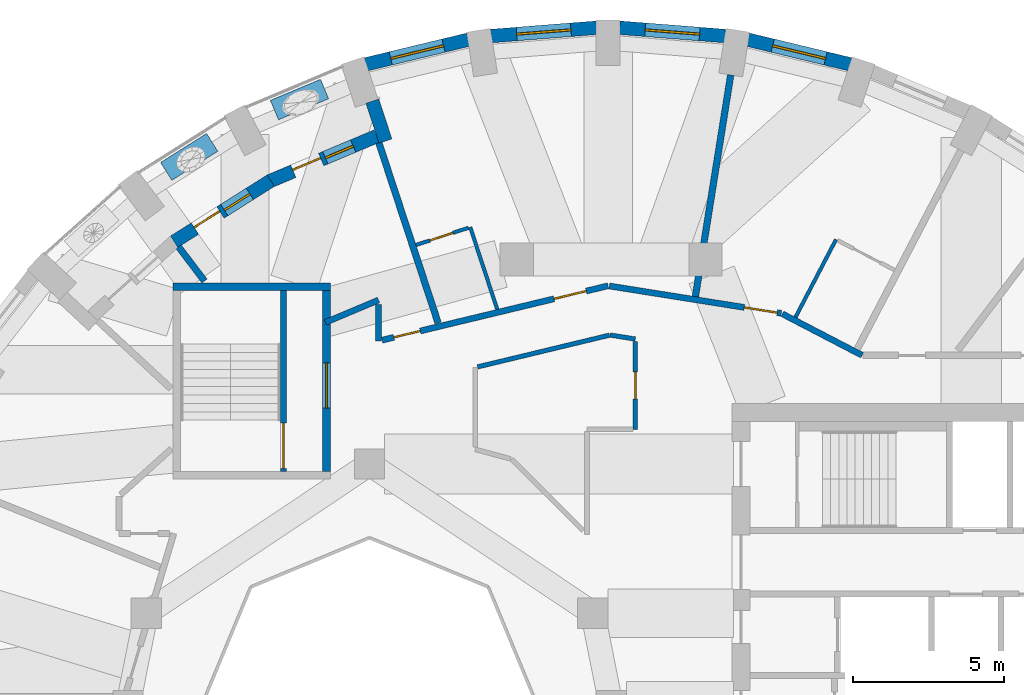
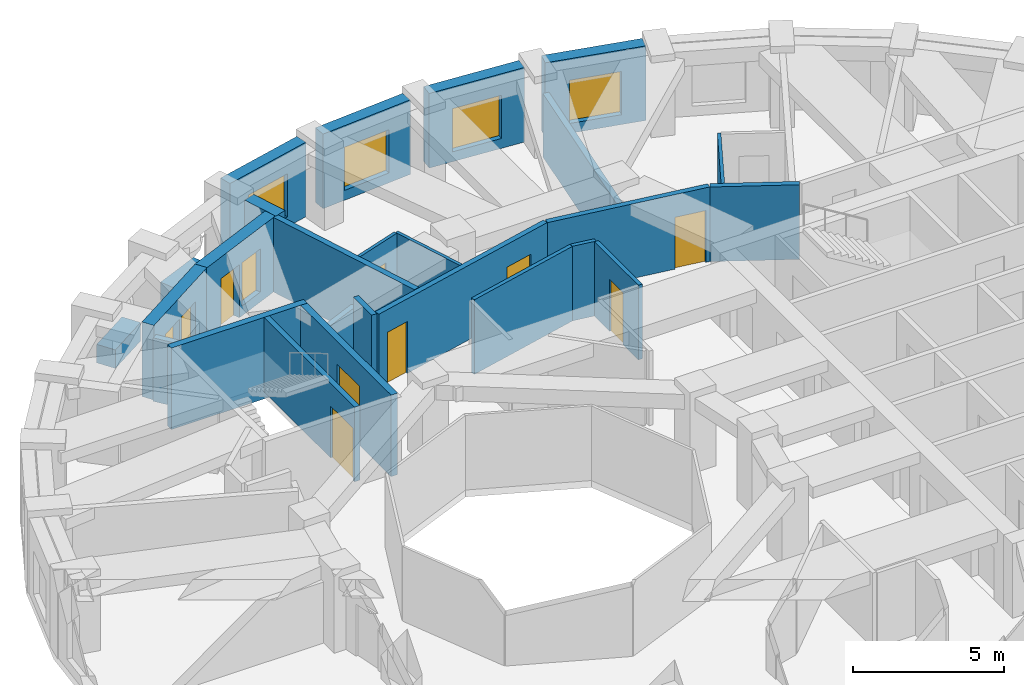
# One storey, part 7 of 12: 26 walls, 9 doors, 6 windows, 15 openings.
"""IFC4 building model written with IfcOpenShell, lengths in metres."""

import ifcopenshell
import ifcopenshell.guid

model = None  # the IFC model being written
_history = None  # IfcOwnerHistory: only IFC2X3 demands one
_inside = {}  # id of a spatial element -> (the spatial element, [elements in it])
_under = {}  # id of a project, library or spatial element -> (it, [spatial elements below it])
_declared = {}  # id of a project -> (the project, [libraries it declares])
_typed = {}  # id of a type object -> (the type object, [elements of that type])
_made_of = {}  # id of a material, layer set ... -> (it, [elements and type objects made of it])


def new_model(schema):
    """Start an empty IFC model of exactly this schema.

    Asked for "IFC4X3", IfcOpenShell would pick the latest addendum, in which some entities
    have other attributes; the version numbers below select the first issue.
    IFC2X3 requires an IfcOwnerHistory on every rooted entity: one is made here for all.
    """
    global model, _history
    if schema == "IFC4X3":
        model = ifcopenshell.file(schema_version=(4, 3, 0, 0))
    else:
        model = ifcopenshell.file(schema=schema)
    _inside.clear()
    _under.clear()
    _declared.clear()
    _typed.clear()
    _made_of.clear()
    _history = None
    if model.schema == "IFC2X3":
        org = make("IfcOrganization", Name="unknown")
        user = make(
            "IfcPersonAndOrganization",
            ThePerson=make("IfcPerson", FamilyName="unknown"),
            TheOrganization=org,
        )
        app = make(
            "IfcApplication",
            ApplicationDeveloper=org,
            Version="unknown",
            ApplicationFullName="unknown",
            ApplicationIdentifier="unknown",
        )
        _history = make(
            "IfcOwnerHistory",
            OwningUser=user,
            OwningApplication=app,
            ChangeAction="ADDED",
            CreationDate=0,
        )
    return model


def make(cls, **values):
    """One entity of the class cls with the attributes given. An attribute that is None is left unset."""
    return model.create_entity(
        cls, **{name: value for name, value in values.items() if value is not None}
    )


def rooted(cls, **values):
    """An entity with a GlobalId (a new one), such as an element, a storey or a relation."""
    return make(cls, GlobalId=ifcopenshell.guid.new(), OwnerHistory=_history, **values)


def si_unit(unit_type, name, prefix=None):
    """IfcSIUnit, for example si_unit("LENGTHUNIT", "METRE", prefix="MILLI")."""
    return make("IfcSIUnit", UnitType=unit_type, Prefix=prefix, Name=name)


def assignment(units):
    """IfcUnitAssignment: the units of a project."""
    return None if units is None else make("IfcUnitAssignment", Units=units)


def point(xyz):
    """IfcCartesianPoint."""
    return None if xyz is None else make("IfcCartesianPoint", Coordinates=xyz)


def direction(xyz):
    """IfcDirection."""
    return None if xyz is None else make("IfcDirection", DirectionRatios=xyz)


def frame(location, z_axis=None, x_axis=None):
    """IfcAxis2Placement3D, a coordinate frame: its origin and axes. An axis left out is left unset."""
    return make(
        "IfcAxis2Placement3D",
        Location=point(location),
        Axis=direction(z_axis),
        RefDirection=direction(x_axis),
    )


def frame_2d(location, x_axis=None):
    """IfcAxis2Placement2D, a coordinate frame in the plane: its origin and x axis."""
    return make(
        "IfcAxis2Placement2D", Location=point(location), RefDirection=direction(x_axis)
    )


def origin():
    """The frame at (0, 0, 0) with its axes left unset."""
    return frame((0.0, 0.0, 0.0))


def place(relative_to, where):
    """IfcLocalPlacement: puts the frame where relative to a parent placement (None: the world)."""
    return make(
        "IfcLocalPlacement", PlacementRelTo=relative_to, RelativePlacement=where
    )


def context(
    kind, dimensions, precision=None, world=None, true_north=None, identifier=None
):
    """IfcGeometricRepresentationContext, for example the 3D "Model" context."""
    return make(
        "IfcGeometricRepresentationContext",
        ContextIdentifier=identifier,
        ContextType=kind,
        CoordinateSpaceDimension=dimensions,
        Precision=precision,
        WorldCoordinateSystem=world,
        TrueNorth=true_north,
    )


def subcontext(parent, identifier, kind, view, scale=None):
    """IfcGeometricRepresentationSubContext, for example "Body" below "Model"."""
    return make(
        "IfcGeometricRepresentationSubContext",
        ContextIdentifier=identifier,
        ContextType=kind,
        ParentContext=parent,
        TargetScale=scale,
        TargetView=view,
    )


def project(units=None, contexts=None):
    """IfcProject with its units and contexts."""
    return rooted(
        "IfcProject",
        Name="project",
        RepresentationContexts=contexts,
        UnitsInContext=assignment(units),
    )


def spatial(cls, under=None, at=None, **own):
    """A site, building, storey or space (cls), placed at a placement, below another one or the project."""
    s = rooted(cls, ObjectPlacement=at, **own)
    if under is not None:
        _under.setdefault(under.id(), (under, []))[1].append(s)
    return s


def profile(cls, at=None, kind="AREA", **sizes):
    """A parametric profile (cls). Its sizes go by their IFC names, for example OverallWidth=200.0."""
    return make(cls, ProfileType=kind, Position=at, **sizes)


def rectangle(**sizes):
    """IfcRectangleProfileDef."""
    return profile("IfcRectangleProfileDef", **sizes)


def extrude(swept, where, along, depth):
    """IfcExtrudedAreaSolid: the profile swept, set in the frame where, extruded along a direction by depth."""
    return make(
        "IfcExtrudedAreaSolid",
        SweptArea=swept,
        Position=where,
        ExtrudedDirection=direction(along),
        Depth=depth,
    )


def shape(context_of_items, identifier, shape_type, items):
    """IfcShapeRepresentation: the items that make up one representation, for example the "Body"."""
    return make(
        "IfcShapeRepresentation",
        ContextOfItems=context_of_items,
        RepresentationIdentifier=identifier,
        RepresentationType=shape_type,
        Items=items,
    )


def material(Name=None, Category=None):
    """IfcMaterial."""
    return make("IfcMaterial", Name=Name, Category=Category)


def layer(
    of_material, thickness, ventilated=None, Name=None, Category=None, Priority=None
):
    """IfcMaterialLayer: one layer of a wall or slab, of a material (None: an air gap)."""
    return make(
        "IfcMaterialLayer",
        Material=of_material,
        LayerThickness=thickness,
        IsVentilated=ventilated,
        Name=Name,
        Category=Category,
        Priority=Priority,
    )


def layer_set(layers, Name=None):
    """IfcMaterialLayerSet."""
    return make("IfcMaterialLayerSet", MaterialLayers=layers, LayerSetName=Name)


def constituent(of_material, Name=None, Category=None, fraction=None):
    """IfcMaterialConstituent: one of the materials an element consists of."""
    return make(
        "IfcMaterialConstituent",
        Name=Name,
        Material=of_material,
        Fraction=fraction,
        Category=Category,
    )


def constituent_set(constituents=None, Name=None):
    """IfcMaterialConstituentSet."""
    return make(
        "IfcMaterialConstituentSet", Name=Name, MaterialConstituents=constituents
    )


def made_of(thing, what):
    """Note that an element or type object is made of a material, layer set ...; save() writes the relation."""
    if what is not None:
        _made_of.setdefault(what.id(), (what, []))[1].append(thing)
    return thing


def type_object(cls, material=None, **own):
    """A type object (cls), such as IfcWallType, which elements share."""
    return made_of(rooted(cls, **own), material)


def element(
    cls,
    number,
    at=None,
    inside=None,
    cuts=None,
    type_object=None,
    material=None,
    context=None,
    identifier="Body",
    shape_type=None,
    held_by="IfcProductDefinitionShape",
    body=None,
    shapes=None,
    **own,
):
    """One element of the class cls, such as IfcWall. Its Tag is "e" and its number.

    at: its placement. inside: the storey or other place that contains it. cuts: it is an
    opening in that element (IfcRelVoidsElement). A single representation is given by context,
    identifier, shape_type and body (its items); several are given by shapes. held_by: the class
    of the entity that holds the representations. save() writes the other relations.
    """
    e = rooted(cls, Tag="e%d" % number, ObjectPlacement=at, **own)
    if body is not None:
        shapes = [shape(context, identifier, shape_type, body)]
    if shapes is not None:
        e.Representation = make(held_by, Representations=shapes)
    if inside is not None:
        _inside.setdefault(inside.id(), (inside, []))[1].append(e)
    if cuts is not None:
        rooted(
            "IfcRelVoidsElement", RelatingBuildingElement=cuts, RelatedOpeningElement=e
        )
    if type_object is not None:
        _typed.setdefault(type_object.id(), (type_object, []))[1].append(e)
    return made_of(e, material)


def fill(opening, filler):
    """IfcRelFillsElement: the door or window that sits in an opening."""
    return rooted(
        "IfcRelFillsElement",
        RelatingOpeningElement=opening,
        RelatedBuildingElement=filler,
    )


def aggregate(whole, parts):
    """IfcRelAggregates: a whole, such as a stair, and the parts it consists of."""
    return rooted("IfcRelAggregates", RelatingObject=whole, RelatedObjects=parts)


def save(model, path):
    """Write the relations noted so far, then the file.

    IfcRelAggregates (storeys below a building ...), IfcRelContainedInSpatialStructure (elements
    in a storey), IfcRelDefinesByType, IfcRelAssociatesMaterial and IfcRelDeclares: one each for
    every whole, place, type object, material and project.
    """
    for whole, parts in _under.values():
        aggregate(whole, parts)
    for where, things in _inside.values():
        rooted(
            "IfcRelContainedInSpatialStructure",
            RelatedElements=things,
            RelatingStructure=where,
        )
    for kind, things in _typed.values():
        rooted("IfcRelDefinesByType", RelatedObjects=things, RelatingType=kind)
    for what, things in _made_of.values():
        rooted("IfcRelAssociatesMaterial", RelatedObjects=things, RelatingMaterial=what)
    for by, libraries in _declared.values():
        rooted("IfcRelDeclares", RelatingContext=by, RelatedDefinitions=libraries)
    model.write(path)


model = new_model("IFC4")

# Units and contexts
model_context = context("Model", 3, precision=1e-05, world=origin(), true_north=direction((0.0, 1.0)))
body_context = subcontext(model_context, "Body", "Model", "MODEL_VIEW")
ifc_project = project(units=[si_unit("LENGTHUNIT", "METRE"), si_unit("AREAUNIT", "SQUARE_METRE"), si_unit("VOLUMEUNIT", "CUBIC_METRE"), si_unit("PLANEANGLEUNIT", "RADIAN"), si_unit("MASSUNIT", "GRAM", prefix="KILO")], contexts=[model_context])

# Site, building, storey
site_placement = place(None, origin())
site = spatial("IfcSite", under=ifc_project, at=site_placement, CompositionType="ELEMENT")
building_placement = place(site_placement, origin())
building = spatial("IfcBuilding", under=site, at=building_placement, Name="Taillehof Tower", CompositionType="ELEMENT")
storey_placement = place(building_placement, frame((0.0, 0.0, 253.10009765625)))
storey = spatial("IfcBuildingStorey", under=building, at=storey_placement, Name="L72", CompositionType="ELEMENT", Elevation=253.10009765625)

# Wall, opening, window
ifc_material_1 = material(Name="Brick masonry", Category="masonry")
ifc_layer_1 = layer(ifc_material_1, 0.449951171875)
ifc_layer_set_1 = layer_set([ifc_layer_1], Name="Brick infill wall 450")
wall_type_1 = type_object("IfcWallType", Name="Brick infill wall 450", PredefinedType="SOLIDWALL", material=ifc_layer_set_1)
wall_1_placement = place(storey_placement, frame((7.918701171875, 21.231689453125, 0.0), z_axis=(0.0, 0.0, 1.0), x_axis=(-0.972099278496, 0.23456980357, 0.0)))
wall_1 = element("IfcWall", 1, at=wall_1_placement, inside=storey, type_object=wall_type_1, Name="Brick wall L72 bay 8", PredefinedType="SOLIDWALL", context=body_context, shape_type="SweptSolid", body=[
    extrude(rectangle(XDim=3.486572265625, YDim=0.449951171875, at=frame_2d((1.7431640625, 0.0))), origin(), (0.0, 0.0, 1.0), 3.02001953125),
])
opening_1_placement = place(wall_1_placement, frame((0.84326171875, 0.0, 0.39990234375)))
opening_1 = element("IfcOpeningElement", 2, at=opening_1_placement, cuts=wall_1, Name="Opening W4", PredefinedType="OPENING", context=body_context, shape_type="SweptSolid", body=[
    extrude(rectangle(XDim=1.800048828125, YDim=1.75, at=frame_2d((0.89990234375, 0.875))), frame((0.0, 0.23486328125, 0.0), z_axis=(0.0, -1.0, 0.0), x_axis=(1.0, 0.0, 0.0)), (0.0, 0.0, 1.0), 0.469970703125),
])
ifc_material_2 = material(Name="Aluminium window frame with clear double glazing", Category="aluminium")
window_type_1 = type_object("IfcWindowType", Name="Deep-set window 1800x1750", PartitioningType="SINGLE_PANEL", PredefinedType="WINDOW", material=ifc_material_2)
window_1_placement = place(opening_1_placement, origin())
window_1 = element("IfcWindow", 3, at=window_1_placement, inside=storey, type_object=window_type_1, Name="W4", OverallHeight=1.75, OverallWidth=1.800048828125, PartitioningType="SINGLE_PANEL", PredefinedType="WINDOW", context=body_context, shape_type="SweptSolid", body=[
    extrude(rectangle(XDim=1.800048828125, YDim=1.75, at=frame_2d((0.89990234375, 0.875))), frame((0.0, 0.034912109375, 0.0), z_axis=(0.0, -1.0, 0.0), x_axis=(1.0, 0.0, 0.0)), (0.0, 0.0, 1.0), 0.06005859375),
])
fill(opening_1, window_1)

wall_2_placement = place(storey_placement, frame((3.778564453125, 22.168701171875, 0.0), z_axis=(0.0, 0.0, 1.0), x_axis=(-0.996910775835, 0.078542377245, 0.0)))
wall_2 = element("IfcWall", 4, at=wall_2_placement, inside=storey, type_object=wall_type_1, Name="Brick wall L72 bay 9", PredefinedType="SOLIDWALL", context=body_context, shape_type="SweptSolid", body=[
    extrude(rectangle(XDim=3.50927734375, YDim=0.449951171875, at=frame_2d((1.754638671875, 0.0))), origin(), (0.0, 0.0, 1.0), 3.02001953125),
])
opening_2_placement = place(wall_2_placement, frame((0.854736328125, 0.0, 0.39990234375)))
opening_2 = element("IfcOpeningElement", 5, at=opening_2_placement, cuts=wall_2, Name="Opening W4", PredefinedType="OPENING", context=body_context, shape_type="SweptSolid", body=[
    extrude(rectangle(XDim=1.800048828125, YDim=1.75, at=frame_2d((0.89990234375, 0.875))), frame((0.0, 0.23486328125, 0.0), z_axis=(0.0, -1.0, 0.0), x_axis=(1.0, 0.0, 0.0)), (0.0, 0.0, 1.0), 0.469970703125),
])
window_2_placement = place(opening_2_placement, origin())
window_2 = element("IfcWindow", 6, at=window_2_placement, inside=storey, type_object=window_type_1, Name="W4", OverallHeight=1.75, OverallWidth=1.800048828125, PartitioningType="SINGLE_PANEL", PredefinedType="WINDOW", context=body_context, shape_type="SweptSolid", body=[
    extrude(rectangle(XDim=1.800048828125, YDim=1.75, at=frame_2d((0.89990234375, 0.875))), frame((0.0, 0.034912109375, 0.0), z_axis=(0.0, -1.0, 0.0), x_axis=(1.0, 0.0, 0.0)), (0.0, 0.0, 1.0), 0.06005859375),
])
fill(opening_2, window_2)

wall_3_placement = place(storey_placement, frame((-0.47998046875, 22.4443359375, 0.0), z_axis=(0.0, 0.0, 1.0), x_axis=(-0.996910775835, -0.078542377245, 0.0)))
wall_3 = element("IfcWall", 7, at=wall_3_placement, inside=storey, type_object=wall_type_1, Name="Brick wall L72 bay 10", PredefinedType="SOLIDWALL", context=body_context, shape_type="SweptSolid", body=[
    extrude(rectangle(XDim=3.50927734375, YDim=0.449951171875, at=frame_2d((1.754638671875, 0.0))), origin(), (0.0, 0.0, 1.0), 3.02001953125),
])
opening_3_placement = place(wall_3_placement, frame((0.854736328125, 0.0, 0.39990234375)))
opening_3 = element("IfcOpeningElement", 8, at=opening_3_placement, cuts=wall_3, Name="Opening W4", PredefinedType="OPENING", context=body_context, shape_type="SweptSolid", body=[
    extrude(rectangle(XDim=1.800048828125, YDim=1.75, at=frame_2d((0.89990234375, 0.875))), frame((0.0, 0.23486328125, 0.0), z_axis=(0.0, -1.0, 0.0), x_axis=(1.0, 0.0, 0.0)), (0.0, 0.0, 1.0), 0.469970703125),
])
window_3_placement = place(opening_3_placement, origin())
window_3 = element("IfcWindow", 9, at=window_3_placement, inside=storey, type_object=window_type_1, Name="W4", OverallHeight=1.75, OverallWidth=1.800048828125, PartitioningType="SINGLE_PANEL", PredefinedType="WINDOW", context=body_context, shape_type="SweptSolid", body=[
    extrude(rectangle(XDim=1.800048828125, YDim=1.75, at=frame_2d((0.89990234375, 0.875))), frame((0.0, 0.034912109375, 0.0), z_axis=(0.0, -1.0, 0.0), x_axis=(1.0, 0.0, 0.0)), (0.0, 0.0, 1.0), 0.06005859375),
])
fill(opening_3, window_3)

wall_4_placement = place(storey_placement, frame((-4.729248046875, 22.049560546875, 0.0), z_axis=(0.0, 0.0, 1.0), x_axis=(-0.972099278496, -0.23456980357, 0.0)))
wall_4 = element("IfcWall", 10, at=wall_4_placement, inside=storey, type_object=wall_type_1, Name="Brick wall L72 bay 11", PredefinedType="SOLIDWALL", context=body_context, shape_type="SweptSolid", body=[
    extrude(rectangle(XDim=3.486572265625, YDim=0.449951171875, at=frame_2d((1.7431640625, 0.0))), origin(), (0.0, 0.0, 1.0), 3.02001953125),
])
opening_4_placement = place(wall_4_placement, frame((0.84326171875, 0.0, 0.39990234375)))
opening_4 = element("IfcOpeningElement", 11, at=opening_4_placement, cuts=wall_4, Name="Opening W4", PredefinedType="OPENING", context=body_context, shape_type="SweptSolid", body=[
    extrude(rectangle(XDim=1.800048828125, YDim=1.75, at=frame_2d((0.89990234375, 0.875))), frame((0.0, 0.23486328125, 0.0), z_axis=(0.0, -1.0, 0.0), x_axis=(1.0, 0.0, 0.0)), (0.0, 0.0, 1.0), 0.469970703125),
])
window_4_placement = place(opening_4_placement, origin())
window_4 = element("IfcWindow", 12, at=window_4_placement, inside=storey, type_object=window_type_1, Name="W4", OverallHeight=1.75, OverallWidth=1.800048828125, PartitioningType="SINGLE_PANEL", PredefinedType="WINDOW", context=body_context, shape_type="SweptSolid", body=[
    extrude(rectangle(XDim=1.800048828125, YDim=1.75, at=frame_2d((0.89990234375, 0.875))), frame((0.0, 0.034912109375, 0.0), z_axis=(0.0, -1.0, 0.0), x_axis=(1.0, 0.0, 0.0)), (0.0, 0.0, 1.0), 0.06005859375),
])
fill(opening_4, window_4)

# Wall
wall_5_placement = place(storey_placement, frame((-7.90625, 20.013671875, 0.0), z_axis=(0.0, 0.0, 1.0), x_axis=(0.312379684595, -0.949957332017, 0.0)))
element("IfcWall", 13, at=wall_5_placement, inside=storey, type_object=wall_type_1, Name="Brick reveal L72 pocket 3", PredefinedType="SOLIDWALL", context=body_context, shape_type="SweptSolid", body=[
    extrude(rectangle(XDim=1.390380859375, YDim=0.449951171875, at=frame_2d((0.6953125, 0.0))), origin(), (0.0, 0.0, 1.0), 3.02001953125),
])

# Wall, openings, door, window
wall_6_placement = place(storey_placement, frame((-7.761962890625, 18.854736328125, 0.0), z_axis=(0.0, 0.0, 1.0), x_axis=(-0.921611451737, -0.388113813239, 0.0)))
wall_6 = element("IfcWall", 14, at=wall_6_placement, inside=storey, type_object=wall_type_1, Name="Brick wall L72 pocket bay 12", PredefinedType="SOLIDWALL", context=body_context, shape_type="SweptSolid", body=[
    extrude(rectangle(XDim=3.84228515625, YDim=0.449951171875, at=frame_2d((1.921142578125, 0.0))), origin(), (0.0, 0.0, 1.0), 3.02001953125),
])
opening_5_placement = place(wall_6_placement, frame((0.845947265625, 0.0, 0.39990234375)))
opening_5 = element("IfcOpeningElement", 15, at=opening_5_placement, cuts=wall_6, Name="Opening W5", PredefinedType="OPENING", context=body_context, shape_type="SweptSolid", body=[
    extrude(rectangle(XDim=1.0, YDim=1.75, at=frame_2d((0.5, 0.875))), frame((0.0, 0.23486328125, 0.0), z_axis=(0.0, -1.0, 0.0), x_axis=(1.0, 0.0, 0.0)), (0.0, 0.0, 1.0), 0.469970703125),
])
opening_6_placement = place(wall_6_placement, frame((1.99609375, 0.0, 0.0)))
opening_6 = element("IfcOpeningElement", 16, at=opening_6_placement, cuts=wall_6, Name="Opening D7291", PredefinedType="OPENING", context=body_context, shape_type="SweptSolid", body=[
    extrude(rectangle(XDim=1.0, YDim=2.14990234375, at=frame_2d((0.5, 1.074951171875))), frame((0.0, 0.23486328125, 0.0), z_axis=(0.0, -1.0, 0.0), x_axis=(1.0, 0.0, 0.0)), (0.0, 0.0, 1.0), 0.469970703125),
])
ifc_material_3 = material(Name="Aluminium door frame with clear double glazing", Category="aluminium")
door_type_1 = type_object("IfcDoorType", Name="Balcony door 1000x2150", OperationType="SINGLE_SWING_RIGHT", PredefinedType="DOOR", material=ifc_material_3)
door_1_placement = place(opening_6_placement, frame((1.0, 0.0, 0.0), z_axis=(0.0, 0.0, 1.0), x_axis=(-1.0, 0.0, 0.0)))
door_1 = element("IfcDoor", 17, at=door_1_placement, inside=storey, type_object=door_type_1, Name="Balcony door L72 bay 12", OperationType="SINGLE_SWING_RIGHT", OverallHeight=2.14990234375, OverallWidth=1.0, PredefinedType="DOOR", context=body_context, shape_type="SweptSolid", body=[
    extrude(rectangle(XDim=1.0, YDim=2.14990234375, at=frame_2d((0.5, 1.074951171875))), frame((0.0, 0.0751953125, 0.0), z_axis=(0.0, -1.0, 0.0), x_axis=(1.0, 0.0, 0.0)), (0.0, 0.0, 1.0), 0.050048828125),
])
fill(opening_6, door_1)
ifc_material_4 = material(Name="Aluminium window frame with clear double glazing", Category="aluminium")
window_type_2 = type_object("IfcWindowType", Name="Fixed window 1000x1750", PartitioningType="SINGLE_PANEL", PredefinedType="WINDOW", material=ifc_material_4)
window_5_placement = place(opening_5_placement, origin())
window_5 = element("IfcWindow", 18, at=window_5_placement, inside=storey, type_object=window_type_2, Name="W5", OverallHeight=1.75, OverallWidth=1.0, PartitioningType="SINGLE_PANEL", PredefinedType="WINDOW", context=body_context, shape_type="SweptSolid", body=[
    extrude(rectangle(XDim=1.0, YDim=1.75, at=frame_2d((0.5, 0.875))), frame((0.0, 0.034912109375, 0.0), z_axis=(0.0, -1.0, 0.0), x_axis=(1.0, 0.0, 0.0)), (0.0, 0.0, 1.0), 0.06005859375),
])
fill(opening_5, window_5)

wall_7_placement = place(storey_placement, frame((-11.27001953125, 17.380859375, 0.0), z_axis=(0.0, 0.0, 1.0), x_axis=(-0.845176295427, -0.534487632831, 0.0)))
wall_7 = element("IfcWall", 19, at=wall_7_placement, inside=storey, type_object=wall_type_1, Name="Brick wall L72 pocket bay 13", PredefinedType="SOLIDWALL", context=body_context, shape_type="SweptSolid", body=[
    extrude(rectangle(XDim=3.78759765625, YDim=0.449951171875, at=frame_2d((1.893798828125, 0.0))), origin(), (0.0, 0.0, 1.0), 3.02001953125),
])
opening_7_placement = place(wall_7_placement, frame((0.81884765625, 0.0, 0.39990234375)))
opening_7 = element("IfcOpeningElement", 20, at=opening_7_placement, cuts=wall_7, Name="Opening W5", PredefinedType="OPENING", context=body_context, shape_type="SweptSolid", body=[
    extrude(rectangle(XDim=1.0, YDim=1.75, at=frame_2d((0.5, 0.875))), frame((0.0, 0.23486328125, 0.0), z_axis=(0.0, -1.0, 0.0), x_axis=(1.0, 0.0, 0.0)), (0.0, 0.0, 1.0), 0.469970703125),
])
opening_8_placement = place(wall_7_placement, frame((1.96875, 0.0, 0.0)))
opening_8 = element("IfcOpeningElement", 21, at=opening_8_placement, cuts=wall_7, Name="Opening D7292", PredefinedType="OPENING", context=body_context, shape_type="SweptSolid", body=[
    extrude(rectangle(XDim=1.0, YDim=2.14990234375, at=frame_2d((0.5, 1.074951171875))), frame((0.0, 0.23486328125, 0.0), z_axis=(0.0, -1.0, 0.0), x_axis=(1.0, 0.0, 0.0)), (0.0, 0.0, 1.0), 0.469970703125),
])
door_2_placement = place(opening_8_placement, frame((1.0, 0.0, 0.0), z_axis=(0.0, 0.0, 1.0), x_axis=(-1.0, 0.0, 0.0)))
door_2 = element("IfcDoor", 22, at=door_2_placement, inside=storey, type_object=door_type_1, Name="Balcony door L72 bay 13", OperationType="SINGLE_SWING_LEFT", OverallHeight=2.14990234375, OverallWidth=1.0, PredefinedType="DOOR", context=body_context, shape_type="SweptSolid", body=[
    extrude(rectangle(XDim=1.0, YDim=2.14990234375, at=frame_2d((0.5, 1.074951171875))), frame((0.0, 0.0751953125, 0.0), z_axis=(0.0, -1.0, 0.0), x_axis=(1.0, 0.0, 0.0)), (0.0, 0.0, 1.0), 0.050048828125),
])
fill(opening_8, door_2)
window_6_placement = place(opening_7_placement, origin())
window_6 = element("IfcWindow", 23, at=window_6_placement, inside=storey, type_object=window_type_2, Name="W5", OverallHeight=1.75, OverallWidth=1.0, PartitioningType="SINGLE_PANEL", PredefinedType="WINDOW", context=body_context, shape_type="SweptSolid", body=[
    extrude(rectangle(XDim=1.0, YDim=1.75, at=frame_2d((0.5, 0.875))), frame((0.0, 0.034912109375, 0.0), z_axis=(0.0, -1.0, 0.0), x_axis=(1.0, 0.0, 0.0)), (0.0, 0.0, 1.0), 0.06005859375),
])
fill(opening_7, window_6)

# Walls
ifc_material_5 = material(Name="Gypsum board on steel studs, two layers each side", Category="steel")
ifc_layer_2 = layer(ifc_material_5, 0.199951171875)
ifc_layer_set_2 = layer_set([ifc_layer_2], Name="Compartment wall corridor 200")
wall_type_2 = type_object("IfcWallType", Name="Compartment wall corridor 200", PredefinedType="PARTITIONING", material=ifc_layer_set_2)
wall_8_placement = place(storey_placement, frame((-9.46044921875, 12.687255859375, 0.0), z_axis=(0.0, 0.0, 1.0), x_axis=(0.92164499827, 0.388034144328, 0.0)))
element("IfcWall", 24, at=wall_8_placement, inside=storey, type_object=wall_type_2, Name="Compartment wall", PredefinedType="PARTITIONING", context=body_context, shape_type="SweptSolid", body=[
    extrude(rectangle(XDim=1.91015625, YDim=0.199951171875, at=frame_2d((0.955078125, 0.0))), origin(), (0.0, 0.0, 1.0), 2.56982421875),
])
wall_9_placement = place(storey_placement, frame((-7.699951171875, 13.288330078125, 0.0), z_axis=(0.0, 0.0, 1.0), x_axis=(0.0, -1.0, 0.0)))
element("IfcWall", 25, at=wall_9_placement, inside=storey, type_object=wall_type_2, Name="Compartment wall", PredefinedType="PARTITIONING", context=body_context, shape_type="SweptSolid", body=[
    extrude(rectangle(XDim=1.21630859375, YDim=0.199951171875, at=frame_2d((0.608154296875, 0.0))), origin(), (0.0, 0.0, 1.0), 3.02001953125),
])

# Wall, openings, doors
wall_10_placement = place(storey_placement, frame((-7.582763671875, 12.099853515625, 0.0), z_axis=(0.0, 0.0, 1.0), x_axis=(0.97226305798, 0.233890029903, 0.0)))
wall_10 = element("IfcWall", 26, at=wall_10_placement, inside=storey, type_object=wall_type_2, Name="Compartment wall", PredefinedType="PARTITIONING", context=body_context, shape_type="SweptSolid", body=[
    extrude(rectangle(XDim=7.696044921875, YDim=0.199951171875, at=frame_2d((3.84814453125, 0.0))), origin(), (0.0, 0.0, 1.0), 3.02001953125),
])
opening_9_placement = place(wall_10_placement, frame((5.85009765625, 0.0, 0.0)))
opening_9 = element("IfcOpeningElement", 27, at=opening_9_placement, cuts=wall_10, Name="Opening D7243", PredefinedType="OPENING", context=body_context, shape_type="SweptSolid", body=[
    extrude(rectangle(XDim=1.10009765625, YDim=2.10009765625, at=frame_2d((0.550048828125, 1.050048828125))), frame((0.0, 0.10986328125, 0.0), z_axis=(0.0, -1.0, 0.0), x_axis=(1.0, 0.0, 0.0)), (0.0, 0.0, 1.0), 0.219970703125),
])
opening_10_placement = place(wall_10_placement, frame((0.398681640625, 0.0, 0.0)))
opening_10 = element("IfcOpeningElement", 28, at=opening_10_placement, cuts=wall_10, Name="Opening D7245", PredefinedType="OPENING", context=body_context, shape_type="SweptSolid", body=[
    extrude(rectangle(XDim=0.89990234375, YDim=2.10009765625, at=frame_2d((0.449951171875, 1.050048828125))), frame((0.0, 0.10986328125, 0.0), z_axis=(0.0, -1.0, 0.0), x_axis=(1.0, 0.0, 0.0)), (0.0, 0.0, 1.0), 0.219970703125),
])
ifc_material_6 = material(Name="Timber door leaf in steel frame", Category="steel")
door_type_2 = type_object("IfcDoorType", Name="Service room door EI 30 900 x 2100", OperationType="SINGLE_SWING_LEFT", PredefinedType="DOOR", material=ifc_material_6)
door_3_placement = place(opening_10_placement, origin())
door_3 = element("IfcDoor", 29, at=door_3_placement, inside=storey, type_object=door_type_2, Name="D7245", OperationType="SINGLE_SWING_LEFT", OverallHeight=2.10009765625, OverallWidth=0.89990234375, PredefinedType="DOOR", context=body_context, shape_type="SweptSolid", body=[
    extrude(rectangle(XDim=0.89990234375, YDim=2.10009765625, at=frame_2d((0.449951171875, 1.050048828125))), frame((0.0, 0.02490234375, 0.0), z_axis=(0.0, -1.0, 0.0), x_axis=(1.0, 0.0, 0.0)), (0.0, 0.0, 1.0), 0.050048828125),
])
fill(opening_10, door_3)
ifc_material_7 = material(Name="Timber door leaf in steel frame", Category="steel")
door_type_3 = type_object("IfcDoorType", Name="Suite entrance door EI 30 1100 x 2100", OperationType="SINGLE_SWING_LEFT", PredefinedType="DOOR", material=ifc_material_7)
door_4_placement = place(opening_9_placement, origin())
door_4 = element("IfcDoor", 30, at=door_4_placement, inside=storey, type_object=door_type_3, Name="D7243", OperationType="SINGLE_SWING_LEFT", OverallHeight=2.10009765625, OverallWidth=1.10009765625, PredefinedType="DOOR", context=body_context, shape_type="SweptSolid", body=[
    extrude(rectangle(XDim=1.10009765625, YDim=2.10009765625, at=frame_2d((0.550048828125, 1.050048828125))), frame((0.0, 0.02490234375, 0.0), z_axis=(0.0, -1.0, 0.0), x_axis=(1.0, 0.0, 0.0)), (0.0, 0.0, 1.0), 0.050048828125),
])
fill(opening_9, door_4)

# Wall, opening, door
wall_11_placement = place(storey_placement, frame((-0.060546875, 13.8935546875, 0.0), z_axis=(0.0, 0.0, 1.0), x_axis=(0.987623870558, -0.156840971383, 0.0)))
wall_11 = element("IfcWall", 31, at=wall_11_placement, inside=storey, type_object=wall_type_2, Name="Compartment wall", PredefinedType="PARTITIONING", context=body_context, shape_type="SweptSolid", body=[
    extrude(rectangle(XDim=5.765625, YDim=0.199951171875, at=frame_2d((2.8828125, 0.0))), origin(), (0.0, 0.0, 1.0), 3.02001953125),
])
opening_11_placement = place(wall_11_placement, frame((4.525634765625, 0.0, 0.0)))
opening_11 = element("IfcOpeningElement", 32, at=opening_11_placement, cuts=wall_11, Name="Opening D7241", PredefinedType="OPENING", context=body_context, shape_type="SweptSolid", body=[
    extrude(rectangle(XDim=1.10009765625, YDim=2.10009765625, at=frame_2d((0.550048828125, 1.050048828125))), frame((0.0, 0.10986328125, 0.0), z_axis=(0.0, -1.0, 0.0), x_axis=(1.0, 0.0, 0.0)), (0.0, 0.0, 1.0), 0.219970703125),
])
ifc_material_8 = material(Name="Timber door leaf in steel frame", Category="steel")
door_type_4 = type_object("IfcDoorType", Name="Accessible guest room door EI 30 1100 x 2100", OperationType="SINGLE_SWING_LEFT", PredefinedType="DOOR", material=ifc_material_8)
door_5_placement = place(opening_11_placement, origin())
door_5 = element("IfcDoor", 33, at=door_5_placement, inside=storey, type_object=door_type_4, Name="D7241", OperationType="SINGLE_SWING_RIGHT", OverallHeight=2.10009765625, OverallWidth=1.10009765625, PredefinedType="DOOR", context=body_context, shape_type="SweptSolid", body=[
    extrude(rectangle(XDim=1.10009765625, YDim=2.10009765625, at=frame_2d((0.550048828125, 1.050048828125))), frame((0.0, 0.02490234375, 0.0), z_axis=(0.0, -1.0, 0.0), x_axis=(1.0, 0.0, 0.0)), (0.0, 0.0, 1.0), 0.050048828125),
])
fill(opening_11, door_5)

# Walls
wall_12_placement = place(storey_placement, frame((5.66943359375, 12.970703125, 0.0), z_axis=(0.0, 0.0, 1.0), x_axis=(0.887284047921, -0.461223393058, 0.0)))
element("IfcWall", 34, at=wall_12_placement, inside=storey, type_object=wall_type_2, Name="Compartment wall", PredefinedType="PARTITIONING", context=body_context, shape_type="SweptSolid", body=[
    extrude(rectangle(XDim=2.9716796875, YDim=0.199951171875, at=frame_2d((1.48583984375, 0.0))), origin(), (0.0, 0.0, 1.0), 3.02001953125),
])
ifc_material_9 = material(Name="Gypsum board on double steel studs with mineral wool", Category="steel")
ifc_layer_3 = layer(ifc_material_9, 0.219970703125)
ifc_layer_set_3 = layer_set([ifc_layer_3], Name="Compartment wall guest room 220")
wall_type_3 = type_object("IfcWallType", Name="Compartment wall guest room 220", PredefinedType="PARTITIONING", material=ifc_layer_set_3)
wall_13_placement = place(storey_placement, frame((3.958251953125, 20.88037109375, 0.0), z_axis=(0.0, 0.0, 1.0), x_axis=(-0.157281826031, -0.987553759144, 0.0)))
element("IfcWall", 35, at=wall_13_placement, inside=storey, type_object=wall_type_3, Name="Compartment wall", PredefinedType="PARTITIONING", context=body_context, shape_type="SweptSolid", body=[
    extrude(rectangle(XDim=7.4306640625, YDim=0.219970703125, at=frame_2d((3.71533203125, 0.0))), origin(), (0.0, 0.0, 1.0), 2.56982421875),
])
wall_14_placement = place(storey_placement, frame((-7.691650390625, 18.640380859375, 0.0), z_axis=(0.0, 0.0, 1.0), x_axis=(0.312298025569, -0.949984180514, 0.0)))
element("IfcWall", 36, at=wall_14_placement, inside=storey, type_object=wall_type_3, Name="Compartment wall", PredefinedType="PARTITIONING", context=body_context, shape_type="SweptSolid", body=[
    extrude(rectangle(XDim=6.285400390625, YDim=0.219970703125, at=frame_2d((3.142578125, 0.0))), origin(), (0.0, 0.0, 1.0), 3.02001953125),
])
wall_15_placement = place(storey_placement, frame((-14.318603515625, 15.186767578125, 0.0), z_axis=(0.0, 0.0, 1.0), x_axis=(0.603937349714, -0.797031792101, 0.0)))
element("IfcWall", 37, at=wall_15_placement, inside=storey, type_object=wall_type_3, Name="Compartment wall", PredefinedType="PARTITIONING", context=body_context, shape_type="SweptSolid", body=[
    extrude(rectangle(XDim=1.416015625, YDim=0.219970703125, at=frame_2d((0.7080078125, 0.0))), origin(), (0.0, 0.0, 1.0), 2.56982421875),
])
ifc_material_10 = material(Name="Gypsum board on steel studs, two layers each side", Category="steel")
ifc_layer_4 = layer(ifc_material_10, 0.14990234375)
ifc_layer_set_4 = layer_set([ifc_layer_4], Name="Compartment wall service room 150")
wall_type_4 = type_object("IfcWallType", Name="Compartment wall service room 150", PredefinedType="PARTITIONING", material=ifc_layer_set_4)
wall_16_placement = place(storey_placement, frame((-0.035888671875, 12.269775390625, 0.0), z_axis=(0.0, 0.0, 1.0), x_axis=(0.987612834354, -0.156910450318, 0.0)))
element("IfcWall", 38, at=wall_16_placement, inside=storey, type_object=wall_type_4, Name="Compartment wall", PredefinedType="PARTITIONING", context=body_context, shape_type="SweptSolid", body=[
    extrude(rectangle(XDim=0.846435546875, YDim=0.14990234375, at=frame_2d((0.42333984375, 0.0))), origin(), (0.0, 0.0, 1.0), 3.02001953125),
])

# Wall, opening, door
wall_17_placement = place(storey_placement, frame((0.800048828125, 12.056884765625, 0.0), z_axis=(0.0, 0.0, 1.0), x_axis=(0.0, -1.0, 0.0)))
wall_17 = element("IfcWall", 39, at=wall_17_placement, inside=storey, type_object=wall_type_4, Name="Compartment wall", PredefinedType="PARTITIONING", context=body_context, shape_type="SweptSolid", body=[
    extrude(rectangle(XDim=2.906982421875, YDim=0.14990234375, at=frame_2d((1.45361328125, 0.0))), origin(), (0.0, 0.0, 1.0), 3.02001953125),
])
opening_12_placement = place(wall_17_placement, frame((1.00341796875, 0.0, 0.0)))
opening_12 = element("IfcOpeningElement", 40, at=opening_12_placement, cuts=wall_17, Name="Opening D7259", PredefinedType="OPENING", context=body_context, shape_type="SweptSolid", body=[
    extrude(rectangle(XDim=0.89990234375, YDim=2.10009765625, at=frame_2d((0.449951171875, 1.050048828125))), frame((0.0, 0.0849609375, 0.0), z_axis=(0.0, -1.0, 0.0), x_axis=(1.0, 0.0, 0.0)), (0.0, 0.0, 1.0), 0.169921875),
])
door_6_placement = place(opening_12_placement, origin())
door_6 = element("IfcDoor", 41, at=door_6_placement, inside=storey, type_object=door_type_2, Name="D7259", OperationType="SINGLE_SWING_LEFT", OverallHeight=2.10009765625, OverallWidth=0.89990234375, PredefinedType="DOOR", context=body_context, shape_type="SweptSolid", body=[
    extrude(rectangle(XDim=0.89990234375, YDim=2.10009765625, at=frame_2d((0.449951171875, 1.050048828125))), frame((0.0, 0.02490234375, 0.0), z_axis=(0.0, -1.0, 0.0), x_axis=(1.0, 0.0, 0.0)), (0.0, 0.0, 1.0), 0.050048828125),
])
fill(opening_12, door_6)

# Walls
wall_18_placement = place(storey_placement, frame((-4.421875, 11.214599609375, 0.0), z_axis=(0.0, 0.0, 1.0), x_axis=(0.972256385538, 0.233917764997, 0.0)))
element("IfcWall", 42, at=wall_18_placement, inside=storey, type_object=wall_type_4, Name="Compartment wall", PredefinedType="PARTITIONING", context=body_context, shape_type="SweptSolid", body=[
    extrude(rectangle(XDim=4.490966796875, YDim=0.14990234375, at=frame_2d((2.24560546875, 0.0))), origin(), (0.0, 0.0, 1.0), 3.02001953125),
])
ifc_material_11 = material(Name="Gypsum board on steel studs, moisture resistant", Category="steel")
ifc_layer_5 = layer(ifc_material_11, 0.1201171875)
ifc_layer_set_5 = layer_set([ifc_layer_5], Name="En-suite wall 120")
wall_type_5 = type_object("IfcWallType", Name="En-suite wall 120", PredefinedType="PARTITIONING", material=ifc_layer_set_5)
wall_19_placement = place(storey_placement, frame((6.1025390625, 12.858154296875, 0.0), z_axis=(0.0, 0.0, 1.0), x_axis=(0.462353319711, 0.886695780836, 0.0)))
element("IfcWall", 43, at=wall_19_placement, inside=storey, type_object=wall_type_5, Name="En-suite wall", PredefinedType="PARTITIONING", context=body_context, shape_type="SweptSolid", body=[
    extrude(rectangle(XDim=2.903076171875, YDim=0.1201171875, at=frame_2d((1.45166015625, 0.0))), origin(), (0.0, 0.0, 1.0), 3.02001953125),
])
wall_20_placement = place(storey_placement, frame((-3.771240234375, 13.119873046875, 0.0), z_axis=(0.0, 0.0, 1.0), x_axis=(-0.312336886671, 0.949971404425, 0.0)))
element("IfcWall", 44, at=wall_20_placement, inside=storey, type_object=wall_type_5, Name="En-suite wall", PredefinedType="PARTITIONING", context=body_context, shape_type="SweptSolid", body=[
    extrude(rectangle(XDim=2.86328125, YDim=0.1201171875, at=frame_2d((1.431640625, 0.0))), origin(), (0.0, 0.0, 1.0), 3.02001953125),
])

# Wall, opening, door
wall_21_placement = place(storey_placement, frame((-4.722412109375, 15.821044921875, 0.0), z_axis=(0.0, 0.0, 1.0), x_axis=(-0.949995576072, -0.312263359111, 0.0)))
wall_21 = element("IfcWall", 45, at=wall_21_placement, inside=storey, type_object=wall_type_5, Name="En-suite wall", PredefinedType="PARTITIONING", context=body_context, shape_type="SweptSolid", body=[
    extrude(rectangle(XDim=1.830322265625, YDim=0.1201171875, at=frame_2d((0.9150390625, 0.0))), origin(), (0.0, 0.0, 1.0), 3.02001953125),
])
opening_13_placement = place(wall_21_placement, frame((0.540283203125, 0.0, 0.0)))
opening_13 = element("IfcOpeningElement", 46, at=opening_13_placement, cuts=wall_21, Name="Opening D7244", PredefinedType="OPENING", context=body_context, shape_type="SweptSolid", body=[
    extrude(rectangle(XDim=0.800048828125, YDim=2.10009765625, at=frame_2d((0.39990234375, 1.050048828125))), frame((0.0, 0.070068359375, 0.0), z_axis=(0.0, -1.0, 0.0), x_axis=(1.0, 0.0, 0.0)), (0.0, 0.0, 1.0), 0.14013671875),
])
ifc_material_12 = material(Name="Timber door leaf in steel frame", Category="steel")
door_type_5 = type_object("IfcDoorType", Name="En-suite door 800 x 2100", OperationType="SINGLE_SWING_LEFT", PredefinedType="DOOR", material=ifc_material_12)
door_7_placement = place(opening_13_placement, origin())
door_7 = element("IfcDoor", 47, at=door_7_placement, inside=storey, type_object=door_type_5, Name="D7244", OperationType="SINGLE_SWING_LEFT", OverallHeight=2.10009765625, OverallWidth=0.800048828125, PredefinedType="DOOR", context=body_context, shape_type="SweptSolid", body=[
    extrude(rectangle(XDim=0.800048828125, YDim=2.10009765625, at=frame_2d((0.39990234375, 1.050048828125))), frame((0.0, 0.02490234375, 0.0), z_axis=(0.0, -1.0, 0.0), x_axis=(1.0, 0.0, 0.0)), (0.0, 0.0, 1.0), 0.050048828125),
])
fill(opening_13, door_7)

# Walls
ifc_material_13 = material(Name="Concrete C30/37 precast", Category="concrete")
ifc_constituent_1 = constituent(ifc_material_13, Name="Structure", Category="concrete")
ifc_material_14 = material(Name="Insulated lining")
ifc_constituent_2 = constituent(ifc_material_14, Name="Lining")
ifc_constituent_set = constituent_set(constituents=[ifc_constituent_1, ifc_constituent_2], Name="Planter trough 700x750")
wall_type_6 = type_object("IfcWallType", Name="Planter trough 700x750", PredefinedType="USERDEFINED", material=ifc_constituent_set)
for number, where, z_axis, x_axis, name in (
    (48, (-9.48828125, 20.413818359375, 0.0), (0.0, 0.0, 1.0), (-0.922038267928, -0.387098737374, 0.0), "Planter L72 bay 12"),
    (49, (-13.20849609375, 18.647216796875, 0.0), (0.0, 0.0, 1.0), (-0.845926932753, -0.533298813465, 0.0), "Planter L72 bay 13"),
):
    element("IfcWall", number, at=place(storey_placement, frame(where, z_axis=z_axis, x_axis=x_axis)), inside=storey, type_object=wall_type_6, Name=name, ObjectType="PLANTER", PredefinedType="USERDEFINED", context=body_context, shape_type="SweptSolid", body=[
        extrude(rectangle(XDim=1.800048828125, YDim=0.699951171875, at=frame_2d((0.89990234375, 0.0))), origin(), (0.0, 0.0, 1.0), 0.75),
    ])

# Wall, opening, door
ifc_material_15 = material(Name="Concrete C50/60", Category="concrete")
ifc_layer_6 = layer(ifc_material_15, 0.199951171875)
ifc_layer_set_6 = layer_set([ifc_layer_6], Name="Shaft wall C50/60 200")
wall_type_7 = type_object("IfcWallType", Name="Shaft wall C50/60 200", PredefinedType="SHEAR", material=ifc_layer_set_6)
wall_22_placement = place(storey_placement, frame((-10.85009765625, 7.75, 0.0), z_axis=(0.0, 0.0, 1.0), x_axis=(0.0, 1.0, 0.0)))
wall_22 = element("IfcWall", 50, at=wall_22_placement, inside=storey, type_object=wall_type_7, Name="Shaft wall SW", PredefinedType="SHEAR", context=body_context, shape_type="SweptSolid", body=[
    extrude(rectangle(XDim=6.0, YDim=0.199951171875, at=frame_2d((3.0, 0.0))), origin(), (0.0, 0.0, 1.0), 3.02001953125),
])
opening_14_placement = place(wall_22_placement, frame((0.10009765625, 0.0, 0.0)))
opening_14 = element("IfcOpeningElement", 51, at=opening_14_placement, cuts=wall_22, Name="Opening D7212", PredefinedType="OPENING", context=body_context, shape_type="SweptSolid", body=[
    extrude(rectangle(XDim=1.5, YDim=2.10009765625, at=frame_2d((0.75, 1.050048828125))), frame((0.0, 0.10986328125, 0.0), z_axis=(0.0, -1.0, 0.0), x_axis=(1.0, 0.0, 0.0)), (0.0, 0.0, 1.0), 0.219970703125),
])
ifc_material_16 = material(Name="Steel-faced fire door", Category="steel")
door_type_6 = type_object("IfcDoorType", Name="Stair door 1500x2100", OperationType="DOUBLE_DOOR_SINGLE_SWING", PredefinedType="DOOR", material=ifc_material_16)
door_8_placement = place(opening_14_placement, origin())
door_8 = element("IfcDoor", 52, at=door_8_placement, inside=storey, type_object=door_type_6, Name="Stair lobby door S3", OperationType="DOUBLE_DOOR_SINGLE_SWING", OverallHeight=2.10009765625, OverallWidth=1.5, PredefinedType="DOOR", context=body_context, shape_type="SweptSolid", body=[
    extrude(rectangle(XDim=1.5, YDim=2.10009765625, at=frame_2d((0.75, 1.050048828125))), frame((0.0, 0.02490234375, 0.0), z_axis=(0.0, -1.0, 0.0), x_axis=(1.0, 0.0, 0.0)), (0.0, 0.0, 1.0), 0.050048828125),
])
fill(opening_14, door_8)

ifc_material_17 = material(Name="Concrete C50/60", Category="concrete")
ifc_layer_7 = layer(ifc_material_17, 0.25)
ifc_layer_set_7 = layer_set([ifc_layer_7], Name="Stair wall C50/60 250")
wall_type_8 = type_object("IfcWallType", Name="Stair wall C50/60 250", PredefinedType="SHEAR", material=ifc_layer_set_7)
wall_23_placement = place(storey_placement, frame((-9.425048828125, 7.75, -0.280029296875), z_axis=(0.0, 0.0, 1.0), x_axis=(0.0, 1.0, 0.0)))
wall_23 = element("IfcWall", 53, at=wall_23_placement, inside=storey, type_object=wall_type_8, Name="Stair wall SC", PredefinedType="SHEAR", context=body_context, shape_type="SweptSolid", body=[
    extrude(rectangle(XDim=6.0, YDim=0.25, at=frame_2d((3.0, 0.0))), origin(), (0.0, 0.0, 1.0), 3.300048828125),
])
opening_15_placement = place(wall_23_placement, frame((2.10009765625, 0.0, 0.280029296875)))
opening_15 = element("IfcOpeningElement", 54, at=opening_15_placement, cuts=wall_23, Name="Opening D7215", PredefinedType="OPENING", context=body_context, shape_type="SweptSolid", body=[
    extrude(rectangle(XDim=1.5, YDim=2.10009765625, at=frame_2d((0.75, 1.050048828125))), frame((0.0, 0.135009765625, 0.0), z_axis=(0.0, -1.0, 0.0), x_axis=(1.0, 0.0, 0.0)), (0.0, 0.0, 1.0), 0.27001953125),
])
door_9_placement = place(opening_15_placement, origin())
door_9 = element("IfcDoor", 55, at=door_9_placement, inside=storey, type_object=door_type_6, Name="Stair door S3", OperationType="DOUBLE_DOOR_SINGLE_SWING", OverallHeight=2.10009765625, OverallWidth=1.5, PredefinedType="DOOR", context=body_context, shape_type="SweptSolid", body=[
    extrude(rectangle(XDim=1.5, YDim=2.10009765625, at=frame_2d((0.75, 1.050048828125))), frame((0.0, 0.02490234375, 0.0), z_axis=(0.0, -1.0, 0.0), x_axis=(1.0, 0.0, 0.0)), (0.0, 0.0, 1.0), 0.050048828125),
])
fill(opening_15, door_9)

# Wall
wall_24_placement = place(storey_placement, frame((-14.5, 13.875, -0.280029296875), z_axis=(0.0, 0.0, 1.0), x_axis=(1.0, 0.0, 0.0)))
element("IfcWall", 56, at=wall_24_placement, inside=storey, type_object=wall_type_8, Name="Stair wall SC", PredefinedType="SHEAR", context=body_context, shape_type="SweptSolid", body=[
    extrude(rectangle(XDim=5.199951171875, YDim=0.25, at=frame_2d((2.60009765625, 0.0))), origin(), (0.0, 0.0, 1.0), 3.300048828125),
])

save(model, "model.ifc")
